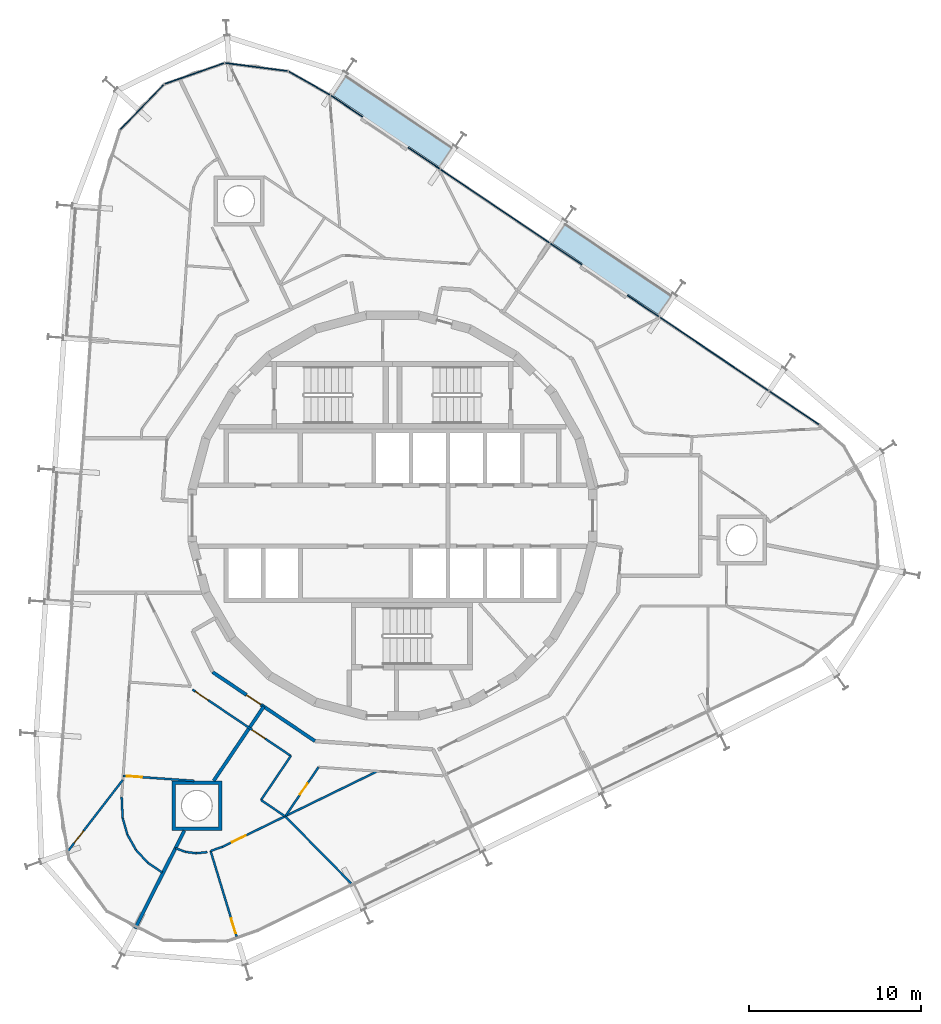
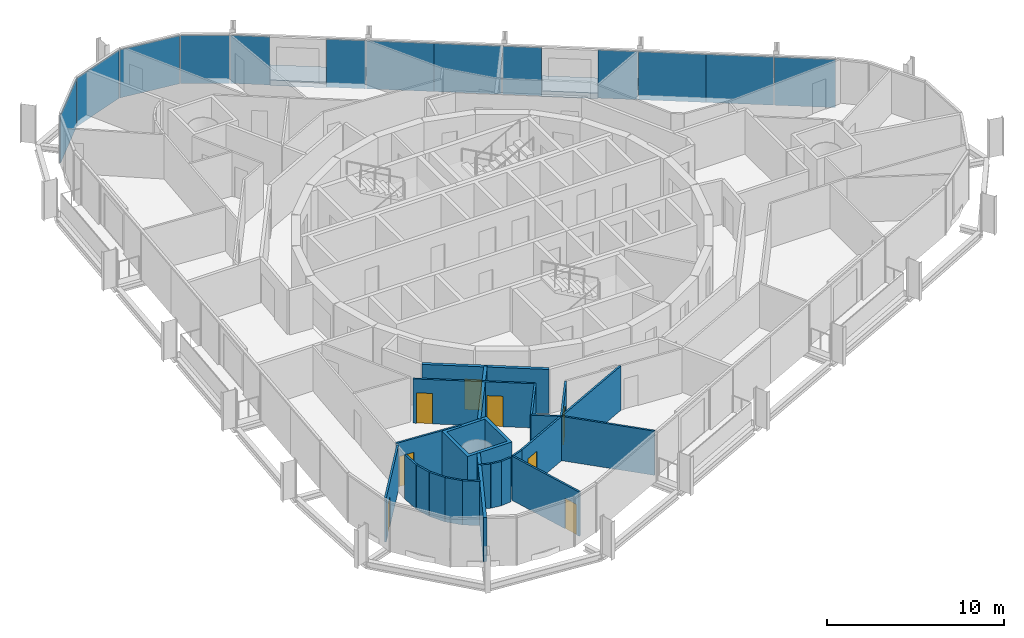
# One storey, part 11 of 17: 23 walls, 13 plates, 8 doors, 2 slabs, 8 openings, 3 elements without a shape of their own.
"""IFC4 building model written with IfcOpenShell, lengths in metres."""

from ifc_helpers import new_model, si_unit, direction, frame, frame_2d, origin, origin_2d, place, context, subcontext, project, spatial, polyline, rectangle, outline, extrude, material, layer, layer_set, type_object, element, fill, aggregate, save


model = new_model("IFC4")

# Units and contexts
model_context = context("Model", 3, precision=1e-05, world=origin(), true_north=direction((0.0, 1.0)))
body_context = subcontext(model_context, "Body", "Model", "MODEL_VIEW")
ifc_project = project(units=[si_unit("LENGTHUNIT", "METRE"), si_unit("AREAUNIT", "SQUARE_METRE"), si_unit("VOLUMEUNIT", "CUBIC_METRE"), si_unit("PLANEANGLEUNIT", "RADIAN"), si_unit("MASSUNIT", "GRAM", prefix="KILO")], contexts=[model_context])

# Site, building, storey
site_placement = place(None, origin())
site = spatial("IfcSite", under=ifc_project, at=site_placement, CompositionType="ELEMENT")
building_placement = place(site_placement, origin())
building = spatial("IfcBuilding", under=site, at=building_placement, Name="Spindle Arch Residences", CompositionType="ELEMENT")
storey_placement = place(building_placement, frame((0.0, 0.0, 216.39990234375)))
storey = spatial("IfcBuildingStorey", under=building, at=storey_placement, Name="L55", CompositionType="ELEMENT", Elevation=216.39990234375)

# Slabs
ifc_material_1 = material(Name="Concrete C40/50", Category="concrete")
ifc_layer_1 = layer(ifc_material_1, 0.3798828125)
ifc_layer_set_1 = layer_set([ifc_layer_1], Name="Balcony slab 380")
slab_type = type_object("IfcSlabType", Name="Balcony slab 380", PredefinedType="FLOOR", material=ifc_layer_set_1)
slab_1_placement = place(storey_placement, frame((0.0, 0.0, -0.3798828125)))
element("IfcSlab", 1, at=slab_1_placement, inside=storey, type_object=slab_type, Name="Balcony L55 bay 7", PredefinedType="FLOOR", context=body_context, shape_type="SweptSolid", body=[
    extrude(outline(polyline([(16.34228515625, 12.897216796875), (16.2802734375, 12.939208984375), (16.1962890625, 12.814697265625), (10.066650390625, 16.94921875), (10.150634765625, 17.07373046875), (10.08837890625, 17.115478515625), (9.255126953125, 15.88037109375), (11.0556640625, 14.665771484375), (10.96630859375, 14.533203125), (13.619140625, 12.74365234375), (13.70849609375, 12.87646484375), (15.50927734375, 11.661865234375), (16.34228515625, 12.897216796875)])), origin(), (0.0, 0.0, 1.0), 0.3798828125),
])
slab_2_placement = place(storey_placement, frame((0.0, 0.0, -0.3798828125)))
element("IfcSlab", 2, at=slab_2_placement, inside=storey, type_object=slab_type, Name="Balcony L55 bay 9", PredefinedType="FLOOR", context=body_context, shape_type="SweptSolid", body=[
    extrude(outline(polyline([(3.585693359375, 21.501708984375), (3.5234375, 21.543701171875), (3.439453125, 21.419189453125), (-2.690185546875, 25.5537109375), (-2.606201171875, 25.67822265625), (-2.66845703125, 25.719970703125), (-3.501708984375, 24.48486328125), (-1.701171875, 23.270263671875), (-1.79052734375, 23.1376953125), (0.8623046875, 21.348388671875), (0.951904296875, 21.48095703125), (2.75244140625, 20.266357421875), (3.585693359375, 21.501708984375)])), origin(), (0.0, 0.0, 1.0), 0.3798828125),
])

# Curtain wall, plate
ifc_material_2 = material(Name="Aluminium bronze unitised frame with tinted glass", Category="aluminium")
ifc_layer_2 = layer(ifc_material_2, 0.159912109375)
ifc_layer_set_2 = layer_set([ifc_layer_2], Name="CW-D corner wall on the fillet arcs")
curtain_wall_type_1 = type_object("IfcCurtainWallType", Name="CW-D corner wall on the fillet arcs", PredefinedType="NOTDEFINED", material=ifc_layer_set_2)
curtain_wall_1_placement = place(storey_placement, origin())
curtain_wall_1 = element("IfcCurtainWall", 3, at=curtain_wall_1_placement, inside=storey, type_object=curtain_wall_type_1, Name="CW-D L55 run 1", PredefinedType="NOTDEFINED")
ifc_material_3 = material(Name="Tinted double glazing over aluminium faced non-combustible spandrel zone (K0)", Category="aluminium")
ifc_layer_3 = layer(ifc_material_3, 0.06005859375)
ifc_layer_set_3 = layer_set([ifc_layer_3], Name="Unitised glass panel with E 60 spandrel zone")
plate_type = type_object("IfcPlateType", Name="Unitised glass panel with E 60 spandrel zone", PredefinedType="CURTAIN_PANEL", material=ifc_layer_set_3)
plate_1_placement = place(storey_placement, frame((23.36767578125, 6.264892578125, -0.3798828125), z_axis=(0.0, 0.0, 1.0), x_axis=(-0.829037572555, 0.559192903471, 0.0)))
plate_1 = element("IfcPlate", 4, at=plate_1_placement, type_object=plate_type, Name="CW-D unit 06", PredefinedType="CURTAIN_PANEL", context=body_context, shape_type="SweptSolid", body=[
    extrude(rectangle(XDim=3.468505859375, YDim=0.06005859375, at=origin_2d()), origin(), (0.0, 0.0, 1.0), 3.31005859375),
])
aggregate(curtain_wall_1, [plate_1])

# Curtain wall, plates
ifc_material_4 = material(Name="Aluminium bronze unitised frame with tinted glass", Category="aluminium")
ifc_layer_4 = layer(ifc_material_4, 0.159912109375)
ifc_layer_set_4 = layer_set([ifc_layer_4], Name="CW-C typical residential unitised wall")
curtain_wall_type_2 = type_object("IfcCurtainWallType", Name="CW-C typical residential unitised wall", PredefinedType="NOTDEFINED", material=ifc_layer_set_4)
curtain_wall_2_placement = place(storey_placement, origin())
curtain_wall_2 = element("IfcCurtainWall", 5, at=curtain_wall_2_placement, inside=storey, type_object=curtain_wall_type_2, Name="CW-C L55 run 2", PredefinedType="NOTDEFINED")
plate_2_placement = place(storey_placement, frame((20.2978515625, 8.335205078125, -0.3798828125), z_axis=(0.0, 0.0, 1.0), x_axis=(-0.829037572555, 0.559192903471, 0.0)))
plate_2 = element("IfcPlate", 6, at=plate_2_placement, type_object=plate_type, Name="CW-C unit 05A", PredefinedType="CURTAIN_PANEL", context=body_context, shape_type="SweptSolid", body=[
    extrude(rectangle(XDim=3.81689453125, YDim=0.06005859375, at=origin_2d()), origin(), (0.0, 0.0, 1.0), 3.31005859375),
])
plate_3_placement = place(storey_placement, frame((17.133544921875, 10.4697265625, -0.3798828125), z_axis=(0.0, 0.0, 1.0), x_axis=(-0.829037572555, 0.559192903471, 0.0)))
plate_3 = element("IfcPlate", 7, at=plate_3_placement, type_object=plate_type, Name="CW-C unit 05B", PredefinedType="CURTAIN_PANEL", context=body_context, shape_type="SweptSolid", body=[
    extrude(rectangle(XDim=3.81689453125, YDim=0.06005859375, at=origin_2d()), origin(), (0.0, 0.0, 1.0), 3.31005859375),
])
plate_4_placement = place(storey_placement, frame((14.582763671875, 12.190185546875, -0.3798828125), z_axis=(0.0, 0.0, 1.0), x_axis=(-0.829037572555, 0.559192903471, 0.0)))
plate_4 = element("IfcPlate", 8, at=plate_4_placement, type_object=plate_type, Name="CW-C unit 06L", PredefinedType="CURTAIN_PANEL", context=body_context, shape_type="SweptSolid", body=[
    extrude(rectangle(XDim=2.216796875, YDim=0.06005859375, at=origin_2d()), origin(), (0.0, 0.0, 1.0), 3.31005859375),
])
plate_5_placement = place(storey_placement, frame((10.092041015625, 15.21923828125, -0.3798828125), z_axis=(0.0, 0.0, 1.0), x_axis=(-0.829037572555, 0.559192903471, 0.0)))
plate_5 = element("IfcPlate", 9, at=plate_5_placement, type_object=plate_type, Name="CW-C unit 06R", PredefinedType="CURTAIN_PANEL", context=body_context, shape_type="SweptSolid", body=[
    extrude(rectangle(XDim=2.216796875, YDim=0.06005859375, at=origin_2d()), origin(), (0.0, 0.0, 1.0), 3.31005859375),
])
plate_6_placement = place(storey_placement, frame((7.541259765625, 16.93994140625, -0.3798828125), z_axis=(0.0, 0.0, 1.0), x_axis=(-0.829037572555, 0.559192903471, 0.0)))
plate_6 = element("IfcPlate", 10, at=plate_6_placement, type_object=plate_type, Name="CW-C unit 07A", PredefinedType="CURTAIN_PANEL", context=body_context, shape_type="SweptSolid", body=[
    extrude(rectangle(XDim=3.81689453125, YDim=0.06005859375, at=origin_2d()), origin(), (0.0, 0.0, 1.0), 3.31005859375),
])
plate_7_placement = place(storey_placement, frame((4.376953125, 19.07421875, -0.3798828125), z_axis=(0.0, 0.0, 1.0), x_axis=(-0.829037572555, 0.559192903471, 0.0)))
plate_7 = element("IfcPlate", 11, at=plate_7_placement, type_object=plate_type, Name="CW-C unit 07B", PredefinedType="CURTAIN_PANEL", context=body_context, shape_type="SweptSolid", body=[
    extrude(rectangle(XDim=3.81689453125, YDim=0.06005859375, at=origin_2d()), origin(), (0.0, 0.0, 1.0), 3.31005859375),
])
plate_8_placement = place(storey_placement, frame((1.825927734375, 20.794677734375, -0.3798828125), z_axis=(0.0, 0.0, 1.0), x_axis=(-0.829037572555, 0.559192903471, 0.0)))
plate_8 = element("IfcPlate", 12, at=plate_8_placement, type_object=plate_type, Name="CW-C unit 08L", PredefinedType="CURTAIN_PANEL", context=body_context, shape_type="SweptSolid", body=[
    extrude(rectangle(XDim=2.216796875, YDim=0.06005859375, at=origin_2d()), origin(), (0.0, 0.0, 1.0), 3.31005859375),
])
plate_9_placement = place(storey_placement, frame((-2.664794921875, 23.82373046875, -0.3798828125), z_axis=(0.0, 0.0, 1.0), x_axis=(-0.829037572555, 0.559192903471, 0.0)))
plate_9 = element("IfcPlate", 13, at=plate_9_placement, type_object=plate_type, Name="CW-C unit 08R", PredefinedType="CURTAIN_PANEL", context=body_context, shape_type="SweptSolid", body=[
    extrude(rectangle(XDim=2.216796875, YDim=0.06005859375, at=origin_2d()), origin(), (0.0, 0.0, 1.0), 3.31005859375),
])
aggregate(curtain_wall_2, [plate_2, plate_3, plate_4, plate_5, plate_6, plate_7, plate_8, plate_9])

curtain_wall_3_placement = place(storey_placement, origin())
curtain_wall_3 = element("IfcCurtainWall", 14, at=curtain_wall_3_placement, inside=storey, type_object=curtain_wall_type_1, Name="CW-D L55 run 3", PredefinedType="NOTDEFINED")
plate_10_placement = place(storey_placement, frame((-4.84130859375, 25.16064453125, -0.3798828125), z_axis=(0.0, 0.0, 1.0), x_axis=(-0.86953871595, 0.493864780547, 0.0)))
plate_10 = element("IfcPlate", 15, at=plate_10_placement, type_object=plate_type, Name="CW-D unit 00", PredefinedType="CURTAIN_PANEL", context=body_context, shape_type="SweptSolid", body=[
    extrude(rectangle(XDim=2.775634765625, YDim=0.06005859375, at=origin_2d()), origin(), (0.0, 0.0, 1.0), 3.31005859375),
])
plate_11_placement = place(storey_placement, frame((-7.92236328125, 26.0986328125, -0.3798828125), z_axis=(0.0, 0.0, 1.0), x_axis=(-0.991820351023, 0.127641651888, 0.0)))
plate_11 = element("IfcPlate", 16, at=plate_11_placement, type_object=plate_type, Name="CW-D unit 01", PredefinedType="CURTAIN_PANEL", context=body_context, shape_type="SweptSolid", body=[
    extrude(rectangle(XDim=3.666748046875, YDim=0.06005859375, at=origin_2d()), origin(), (0.0, 0.0, 1.0), 3.31005859375),
])
plate_12_placement = place(storey_placement, frame((-11.52880859375, 25.7197265625, -0.3798828125), z_axis=(0.0, 0.0, 1.0), x_axis=(-0.943608508302, -0.331063412445, 0.0)))
plate_12 = element("IfcPlate", 17, at=plate_12_placement, type_object=plate_type, Name="CW-D unit 02", PredefinedType="CURTAIN_PANEL", context=body_context, shape_type="SweptSolid", body=[
    extrude(rectangle(XDim=3.666748046875, YDim=0.06005859375, at=origin_2d()), origin(), (0.0, 0.0, 1.0), 3.31005859375),
])
plate_13_placement = place(storey_placement, frame((-14.58154296875, 23.762451171875, -0.3798828125), z_axis=(0.0, 0.0, 1.0), x_axis=(-0.694658368802, -0.719339801939, 0.0)))
plate_13 = element("IfcPlate", 18, at=plate_13_placement, type_object=plate_type, Name="CW-D unit 03", PredefinedType="CURTAIN_PANEL", context=body_context, shape_type="SweptSolid", body=[
    extrude(rectangle(XDim=3.666748046875, YDim=0.06005859375, at=origin_2d()), origin(), (0.0, 0.0, 1.0), 3.31005859375),
])
aggregate(curtain_wall_3, [plate_10, plate_11, plate_12, plate_13])

# Wall, opening, door
ifc_material_5 = material(Name="Calcium silicate block, plastered")
ifc_layer_5 = layer(ifc_material_5, 0.199951171875)
ifc_layer_set_5 = layer_set([ifc_layer_5], Name="Corridor wall 200")
wall_type_1 = type_object("IfcWallType", Name="Corridor wall 200", PredefinedType="STANDARD", material=ifc_layer_set_5)
wall_1_placement = place(storey_placement, frame((-10.469970703125, -9.101318359375, 0.0), z_axis=(0.0, 0.0, 1.0), x_axis=(0.829035841718, -0.559195469534, 0.0)))
wall_1 = element("IfcWall", 19, at=wall_1_placement, inside=storey, type_object=wall_type_1, Name="Corridor wall R5C0-W017", PredefinedType="STANDARD", context=body_context, shape_type="SweptSolid", body=[
    extrude(rectangle(XDim=7.18115234375, YDim=0.199951171875, at=frame_2d((3.590576171875, 0.0))), origin(), (0.0, 0.0, 1.0), 3.050048828125),
])
opening_1_placement = place(wall_1_placement, frame((2.390380859375, 0.0, 0.0)))
opening_1 = element("IfcOpeningElement", 20, at=opening_1_placement, cuts=wall_1, Name="Opening R5C0-FD04", PredefinedType="OPENING", context=body_context, shape_type="SweptSolid", body=[
    extrude(rectangle(XDim=1.0, YDim=2.10009765625, at=frame_2d((0.5, 1.050048828125))), frame((0.0, 0.10986328125, 0.0), z_axis=(0.0, -1.0, 0.0), x_axis=(1.0, 0.0, 0.0)), (0.0, 0.0, 1.0), 0.219970703125),
])
ifc_material_6 = material(Name="Timber, fire-resisting door set", Category="wood")
door_type_1 = type_object("IfcDoorType", Name="Flat entrance door 1000x2100", OperationType="NOTDEFINED", PredefinedType="DOOR", material=ifc_material_6)
door_1_placement = place(opening_1_placement, origin())
door_1 = element("IfcDoor", 21, at=door_1_placement, inside=storey, type_object=door_type_1, Name="Flat entrance door R5C0-FD04", OperationType="SINGLE_SWING_RIGHT", OverallHeight=2.10009765625, OverallWidth=1.0, PredefinedType="DOOR", context=body_context, shape_type="SweptSolid", body=[
    extrude(rectangle(XDim=1.0, YDim=2.10009765625, at=frame_2d((0.5, 1.050048828125))), frame((0.0, 0.02490234375, 0.0), z_axis=(0.0, -1.0, 0.0), x_axis=(1.0, 0.0, 0.0)), (0.0, 0.0, 1.0), 0.050048828125),
])
fill(opening_1, door_1)

# Wall, openings, doors
ifc_material_7 = material(Name="Plasterboard on steel studs", Category="steel")
ifc_layer_6 = layer(ifc_material_7, 0.1201171875)
ifc_layer_set_6 = layer_set([ifc_layer_6], Name="Flat partition 120")
wall_type_2 = type_object("IfcWallType", Name="Flat partition 120", PredefinedType="PARTITIONING", material=ifc_layer_set_6)
wall_2_placement = place(storey_placement, frame((-11.641845703125, -10.1201171875, 0.0), z_axis=(0.0, 0.0, 1.0), x_axis=(0.829029427133, -0.559204979365, 0.0)))
wall_2 = element("IfcWall", 22, at=wall_2_placement, inside=storey, type_object=wall_type_2, Name="Flat partition R5C0-W071", PredefinedType="PARTITIONING", context=body_context, shape_type="SweptSolid", body=[
    extrude(rectangle(XDim=6.90380859375, YDim=0.1201171875, at=frame_2d((3.451904296875, 0.0))), origin(), (0.0, 0.0, 1.0), 3.050048828125),
])
opening_2_placement = place(wall_2_placement, frame((0.199951171875, 0.0, 0.0)))
opening_2 = element("IfcOpeningElement", 23, at=opening_2_placement, cuts=wall_2, Name="Opening R5C0-ID14", PredefinedType="OPENING", context=body_context, shape_type="SweptSolid", body=[
    extrude(rectangle(XDim=0.89990234375, YDim=2.10009765625, at=frame_2d((0.449951171875, 1.050048828125))), frame((0.0, 0.070068359375, 0.0), z_axis=(0.0, -1.0, 0.0), x_axis=(1.0, 0.0, 0.0)), (0.0, 0.0, 1.0), 0.14013671875),
])
opening_3_placement = place(wall_2_placement, frame((4.1923828125, 0.0, 0.0)))
opening_3 = element("IfcOpeningElement", 24, at=opening_3_placement, cuts=wall_2, Name="Opening R5C0-ID18", PredefinedType="OPENING", context=body_context, shape_type="SweptSolid", body=[
    extrude(rectangle(XDim=0.89990234375, YDim=2.10009765625, at=frame_2d((0.449951171875, 1.050048828125))), frame((0.0, 0.070068359375, 0.0), z_axis=(0.0, -1.0, 0.0), x_axis=(1.0, 0.0, 0.0)), (0.0, 0.0, 1.0), 0.14013671875),
])
ifc_material_8 = material(Name="Timber door set", Category="wood")
door_type_2 = type_object("IfcDoorType", Name="Room door 900x2100", OperationType="NOTDEFINED", PredefinedType="DOOR", material=ifc_material_8)
door_2_placement = place(opening_2_placement, origin())
door_2 = element("IfcDoor", 25, at=door_2_placement, inside=storey, type_object=door_type_2, Name="Room door R5C0-ID14", OperationType="SINGLE_SWING_RIGHT", OverallHeight=2.10009765625, OverallWidth=0.89990234375, PredefinedType="DOOR", context=body_context, shape_type="SweptSolid", body=[
    extrude(rectangle(XDim=0.89990234375, YDim=2.10009765625, at=frame_2d((0.449951171875, 1.050048828125))), frame((0.0, 0.02490234375, 0.0), z_axis=(0.0, -1.0, 0.0), x_axis=(1.0, 0.0, 0.0)), (0.0, 0.0, 1.0), 0.050048828125),
])
fill(opening_2, door_2)
door_3_placement = place(opening_3_placement, origin())
door_3 = element("IfcDoor", 26, at=door_3_placement, inside=storey, type_object=door_type_2, Name="Room door R5C0-ID18", OperationType="SINGLE_SWING_LEFT", OverallHeight=2.10009765625, OverallWidth=0.89990234375, PredefinedType="DOOR", context=body_context, shape_type="SweptSolid", body=[
    extrude(rectangle(XDim=0.89990234375, YDim=2.10009765625, at=frame_2d((0.449951171875, 1.050048828125))), frame((0.0, 0.02490234375, 0.0), z_axis=(0.0, -1.0, 0.0), x_axis=(1.0, 0.0, 0.0)), (0.0, 0.0, 1.0), 0.050048828125),
])
fill(opening_3, door_3)

# Wall, opening, door
wall_3_placement = place(storey_placement, frame((-18.892333984375, -19.530517578125, 0.0), z_axis=(0.0, 0.0, 1.0), x_axis=(0.610347240441, 0.792133982408, 0.0)))
wall_3 = element("IfcWall", 27, at=wall_3_placement, inside=storey, type_object=wall_type_2, Name="Flat partition R5C0-W074", PredefinedType="PARTITIONING", context=body_context, shape_type="SweptSolid", body=[
    extrude(rectangle(XDim=5.244384765625, YDim=0.1201171875, at=frame_2d((2.6220703125, 0.0))), origin(), (0.0, 0.0, 1.0), 3.050048828125),
])
opening_4_placement = place(wall_3_placement, frame((0.60009765625, 0.0, 0.0)))
opening_4 = element("IfcOpeningElement", 28, at=opening_4_placement, cuts=wall_3, Name="Opening R5C0-ID17", PredefinedType="OPENING", context=body_context, shape_type="SweptSolid", body=[
    extrude(rectangle(XDim=0.89990234375, YDim=2.10009765625, at=frame_2d((0.449951171875, 1.050048828125))), frame((0.0, 0.070068359375, 0.0), z_axis=(0.0, -1.0, 0.0), x_axis=(1.0, 0.0, 0.0)), (0.0, 0.0, 1.0), 0.14013671875),
])
door_4_placement = place(opening_4_placement, origin())
door_4 = element("IfcDoor", 29, at=door_4_placement, inside=storey, type_object=door_type_2, Name="Room door R5C0-ID17", OperationType="SINGLE_SWING_RIGHT", OverallHeight=2.10009765625, OverallWidth=0.89990234375, PredefinedType="DOOR", context=body_context, shape_type="SweptSolid", body=[
    extrude(rectangle(XDim=0.89990234375, YDim=2.10009765625, at=frame_2d((0.449951171875, 1.050048828125))), frame((0.0, 0.02490234375, 0.0), z_axis=(0.0, -1.0, 0.0), x_axis=(1.0, 0.0, 0.0)), (0.0, 0.0, 1.0), 0.050048828125),
])
fill(opening_4, door_4)

wall_4_placement = place(storey_placement, frame((-15.675048828125, -15.14111328125, 0.0), z_axis=(0.0, 0.0, 1.0), x_axis=(0.997563107735, -0.06976995117, 0.0)))
wall_4 = element("IfcWall", 30, at=wall_4_placement, inside=storey, type_object=wall_type_2, Name="Flat partition R5C0-W075", PredefinedType="PARTITIONING", context=body_context, shape_type="SweptSolid", body=[
    extrude(rectangle(XDim=4.146484375, YDim=0.1201171875, at=frame_2d((2.0732421875, 0.0))), origin(), (0.0, 0.0, 1.0), 3.050048828125),
])
opening_5_placement = place(wall_4_placement, frame((0.199951171875, 0.0, 0.0)))
opening_5 = element("IfcOpeningElement", 31, at=opening_5_placement, cuts=wall_4, Name="Opening R5C0-ID16", PredefinedType="OPENING", context=body_context, shape_type="SweptSolid", body=[
    extrude(rectangle(XDim=0.89990234375, YDim=2.10009765625, at=frame_2d((0.449951171875, 1.050048828125))), frame((0.0, 0.070068359375, 0.0), z_axis=(0.0, -1.0, 0.0), x_axis=(1.0, 0.0, 0.0)), (0.0, 0.0, 1.0), 0.14013671875),
])
door_5_placement = place(opening_5_placement, origin())
door_5 = element("IfcDoor", 32, at=door_5_placement, inside=storey, type_object=door_type_2, Name="Room door R5C0-ID16", OperationType="SINGLE_SWING_RIGHT", OverallHeight=2.10009765625, OverallWidth=0.89990234375, PredefinedType="DOOR", context=body_context, shape_type="SweptSolid", body=[
    extrude(rectangle(XDim=0.89990234375, YDim=2.10009765625, at=frame_2d((0.449951171875, 1.050048828125))), frame((0.0, 0.02490234375, 0.0), z_axis=(0.0, -1.0, 0.0), x_axis=(1.0, 0.0, 0.0)), (0.0, 0.0, 1.0), 0.050048828125),
])
fill(opening_5, door_5)

# Walls
for number, where, z_axis, x_axis, name in (
    (33, (-13.39501953125, -20.767333984375, 0.0), (0.0, 0.0, 1.0), (-0.829155030747, 0.559018725077, 0.0), "Flat partition R5C0-W076"),
    (34, (-14.2373046875, -20.199462890625, 0.0), (0.0, 0.0, 1.0), (-0.677681015856, 0.735355995929, 0.0), "Flat partition R5C0-W077"),
):
    element("IfcWall", number, at=place(storey_placement, frame(where, z_axis=z_axis, x_axis=x_axis)), inside=storey, type_object=wall_type_2, Name=name, PredefinedType="PARTITIONING", context=body_context, shape_type="SweptSolid", body=[
        extrude(rectangle(XDim=1.015869140625, YDim=0.1201171875, at=frame_2d((0.5078125, 0.0))), origin(), (0.0, 0.0, 1.0), 3.050048828125),
    ])
wall_5_placement = place(storey_placement, frame((-14.92578125, -19.452392578125, 0.0), z_axis=(0.0, 0.0, 1.0), x_axis=(-0.489941776958, 0.871755157823, 0.0)))
element("IfcWall", 35, at=wall_5_placement, inside=storey, type_object=wall_type_2, Name="Flat partition R5C0-W078", PredefinedType="PARTITIONING", context=body_context, shape_type="SweptSolid", body=[
    extrude(rectangle(XDim=1.01611328125, YDim=0.1201171875, at=frame_2d((0.508056640625, 0.0))), origin(), (0.0, 0.0, 1.0), 3.050048828125),
])
wall_6_placement = place(storey_placement, frame((-15.423583984375, -18.566650390625, 0.0), z_axis=(0.0, 0.0, 1.0), x_axis=(-0.275641454312, 0.961260520704, 0.0)))
element("IfcWall", 36, at=wall_6_placement, inside=storey, type_object=wall_type_2, Name="Flat partition R5C0-W079", PredefinedType="PARTITIONING", context=body_context, shape_type="SweptSolid", body=[
    extrude(rectangle(XDim=1.015869140625, YDim=0.1201171875, at=frame_2d((0.5078125, 0.0))), origin(), (0.0, 0.0, 1.0), 3.050048828125),
])
wall_7_placement = place(storey_placement, frame((-15.70361328125, -17.590087890625, 0.0), z_axis=(0.0, 0.0, 1.0), x_axis=(-0.046364428258, 0.998924591645, 0.0)))
element("IfcWall", 37, at=wall_7_placement, inside=storey, type_object=wall_type_2, Name="Flat partition R5C0-W080", PredefinedType="PARTITIONING", context=body_context, shape_type="SweptSolid", body=[
    extrude(rectangle(XDim=1.226806640625, YDim=0.1201171875, at=frame_2d((0.61328125, 0.0))), origin(), (0.0, 0.0, 1.0), 3.050048828125),
])
wall_8_placement = place(storey_placement, frame((-5.91845703125, -13.980712890625, 0.0), z_axis=(0.0, 0.0, 1.0), x_axis=(-0.559254999968, -0.828995684555, 0.0)))
element("IfcWall", 38, at=wall_8_placement, inside=storey, type_object=wall_type_2, Name="Flat partition R5C0-W081", PredefinedType="PARTITIONING", context=body_context, shape_type="SweptSolid", body=[
    extrude(rectangle(XDim=3.09912109375, YDim=0.1201171875, at=frame_2d((1.549560546875, 0.0))), origin(), (0.0, 0.0, 1.0), 3.050048828125),
])
wall_9_placement = place(storey_placement, frame((-7.651611328125, -16.5498046875, 0.0), z_axis=(0.0, 0.0, 1.0), x_axis=(0.829053397483, -0.559169441334, 0.0)))
element("IfcWall", 39, at=wall_9_placement, inside=storey, type_object=wall_type_2, Name="Flat partition R5C0-W082", PredefinedType="PARTITIONING", context=body_context, shape_type="SweptSolid", body=[
    extrude(rectangle(XDim=1.686279296875, YDim=0.1201171875, at=frame_2d((0.84326171875, 0.0))), origin(), (0.0, 0.0, 1.0), 3.050048828125),
])

# Wall, opening, door
wall_10_placement = place(storey_placement, frame((-6.228515625, -17.480224609375, 0.0), z_axis=(0.0, 0.0, 1.0), x_axis=(0.559206483048, 0.829028412853, 0.0)))
wall_10 = element("IfcWall", 40, at=wall_10_placement, inside=storey, type_object=wall_type_2, Name="Flat partition R5C0-W083", PredefinedType="PARTITIONING", context=body_context, shape_type="SweptSolid", body=[
    extrude(rectangle(XDim=3.431884765625, YDim=0.1201171875, at=frame_2d((1.7158203125, 0.0))), origin(), (0.0, 0.0, 1.0), 3.050048828125),
])
opening_6_placement = place(wall_10_placement, frame((1.5, 0.0, 0.0)))
opening_6 = element("IfcOpeningElement", 41, at=opening_6_placement, cuts=wall_10, Name="Opening R5C0-BD05", PredefinedType="OPENING", context=body_context, shape_type="SweptSolid", body=[
    extrude(rectangle(XDim=0.800048828125, YDim=2.10009765625, at=frame_2d((0.39990234375, 1.050048828125))), frame((0.0, 0.070068359375, 0.0), z_axis=(0.0, -1.0, 0.0), x_axis=(1.0, 0.0, 0.0)), (0.0, 0.0, 1.0), 0.14013671875),
])
ifc_material_9 = material(Name="Timber door set", Category="wood")
door_type_3 = type_object("IfcDoorType", Name="Bathroom door 800x2100", OperationType="NOTDEFINED", PredefinedType="DOOR", material=ifc_material_9)
door_6_placement = place(opening_6_placement, origin())
door_6 = element("IfcDoor", 42, at=door_6_placement, inside=storey, type_object=door_type_3, Name="Bathroom door R5C0-BD05", OperationType="SINGLE_SWING_LEFT", OverallHeight=2.10009765625, OverallWidth=0.800048828125, PredefinedType="DOOR", context=body_context, shape_type="SweptSolid", body=[
    extrude(rectangle(XDim=0.800048828125, YDim=2.10009765625, at=frame_2d((0.39990234375, 1.050048828125))), frame((0.0, 0.02490234375, 0.0), z_axis=(0.0, -1.0, 0.0), x_axis=(1.0, 0.0, 0.0)), (0.0, 0.0, 1.0), 0.050048828125),
])
fill(opening_6, door_6)

# Walls
wall_11_placement = place(storey_placement, frame((-12.627685546875, -19.3466796875, 0.0), z_axis=(0.0, 0.0, 1.0), x_axis=(0.935507243946, -0.353307509862, 0.0)))
element("IfcWall", 43, at=wall_11_placement, inside=storey, type_object=wall_type_2, Name="Flat partition R5C0-W085", PredefinedType="PARTITIONING", context=body_context, shape_type="SweptSolid", body=[
    extrude(rectangle(XDim=0.6123046875, YDim=0.1201171875, at=frame_2d((0.30615234375, 0.0))), origin(), (0.0, 0.0, 1.0), 3.050048828125),
])
wall_12_placement = place(storey_placement, frame((-12.054931640625, -19.56298828125, 0.0), z_axis=(0.0, 0.0, 1.0), x_axis=(0.991802759529, -0.127778269633, 0.0)))
element("IfcWall", 44, at=wall_12_placement, inside=storey, type_object=wall_type_2, Name="Flat partition R5C0-W086", PredefinedType="PARTITIONING", context=body_context, shape_type="SweptSolid", body=[
    extrude(rectangle(XDim=0.64208984375, YDim=0.1201171875, at=frame_2d((0.321044921875, 0.0))), origin(), (0.0, 0.0, 1.0), 3.050048828125),
])
wall_13_placement = place(storey_placement, frame((-11.418212890625, -19.64501953125, 0.0), z_axis=(0.0, 0.0, 1.0), x_axis=(0.994515867502, 0.104585798686, 0.0)))
element("IfcWall", 45, at=wall_13_placement, inside=storey, type_object=wall_type_2, Name="Flat partition R5C0-W087", PredefinedType="PARTITIONING", context=body_context, shape_type="SweptSolid", body=[
    extrude(rectangle(XDim=0.641845703125, YDim=0.1201171875, at=frame_2d((0.32080078125, 0.0))), origin(), (0.0, 0.0, 1.0), 3.050048828125),
])
wall_14_placement = place(storey_placement, frame((-10.586181640625, -19.510009765625, 0.0), z_axis=(0.0, 0.0, 1.0), x_axis=(0.943560277016, 0.3312008509, 0.0)))
element("IfcWall", 46, at=wall_14_placement, inside=storey, type_object=wall_type_2, Name="Flat partition R5C0-W088", PredefinedType="PARTITIONING", context=body_context, shape_type="SweptSolid", body=[
    extrude(rectangle(XDim=0.741455078125, YDim=0.1201171875, at=frame_2d((0.37060546875, 0.0))), origin(), (0.0, 0.0, 1.0), 3.050048828125),
])

# Wall, opening, door
wall_15_placement = place(storey_placement, frame((-9.886474609375, -19.264404296875, 0.0), z_axis=(0.0, 0.0, 1.0), x_axis=(0.898796326112, 0.43836647245, 0.0)))
wall_15 = element("IfcWall", 47, at=wall_15_placement, inside=storey, type_object=wall_type_2, Name="Flat partition R5C0-W089", PredefinedType="PARTITIONING", context=body_context, shape_type="SweptSolid", body=[
    extrude(rectangle(XDim=10.01416015625, YDim=0.1201171875, at=frame_2d((5.007080078125, 0.0))), origin(), (0.0, 0.0, 1.0), 3.050048828125),
])
opening_7_placement = place(wall_15_placement, frame((0.60009765625, 0.0, 0.0)))
opening_7 = element("IfcOpeningElement", 48, at=opening_7_placement, cuts=wall_15, Name="Opening R5C0-ID20", PredefinedType="OPENING", context=body_context, shape_type="SweptSolid", body=[
    extrude(rectangle(XDim=0.89990234375, YDim=2.10009765625, at=frame_2d((0.449951171875, 1.050048828125))), frame((0.0, 0.070068359375, 0.0), z_axis=(0.0, -1.0, 0.0), x_axis=(1.0, 0.0, 0.0)), (0.0, 0.0, 1.0), 0.14013671875),
])
door_7_placement = place(opening_7_placement, origin())
door_7 = element("IfcDoor", 49, at=door_7_placement, inside=storey, type_object=door_type_2, Name="Room door R5C0-ID20", OperationType="SINGLE_SWING_LEFT", OverallHeight=2.10009765625, OverallWidth=0.89990234375, PredefinedType="DOOR", context=body_context, shape_type="SweptSolid", body=[
    extrude(rectangle(XDim=0.89990234375, YDim=2.10009765625, at=frame_2d((0.449951171875, 1.050048828125))), frame((0.0, 0.02490234375, 0.0), z_axis=(0.0, -1.0, 0.0), x_axis=(1.0, 0.0, 0.0)), (0.0, 0.0, 1.0), 0.050048828125),
])
fill(opening_7, door_7)

wall_16_placement = place(storey_placement, frame((-9.071533203125, -24.4892578125, 0.0), z_axis=(0.0, 0.0, 1.0), x_axis=(-0.291025348593, 0.956715342449, 0.0)))
wall_16 = element("IfcWall", 50, at=wall_16_placement, inside=storey, type_object=wall_type_2, Name="Flat partition R5C0-W090", PredefinedType="PARTITIONING", context=body_context, shape_type="SweptSolid", body=[
    extrude(rectangle(XDim=5.20458984375, YDim=0.1201171875, at=frame_2d((2.602294921875, 0.0))), origin(), (0.0, 0.0, 1.0), 3.050048828125),
])
opening_8_placement = place(wall_16_placement, frame((0.199951171875, 0.0, 0.0)))
opening_8 = element("IfcOpeningElement", 51, at=opening_8_placement, cuts=wall_16, Name="Opening R5C0-ID21", PredefinedType="OPENING", context=body_context, shape_type="SweptSolid", body=[
    extrude(rectangle(XDim=0.89990234375, YDim=2.10009765625, at=frame_2d((0.449951171875, 1.050048828125))), frame((0.0, 0.070068359375, 0.0), z_axis=(0.0, -1.0, 0.0), x_axis=(1.0, 0.0, 0.0)), (0.0, 0.0, 1.0), 0.14013671875),
])
door_8_placement = place(opening_8_placement, origin())
door_8 = element("IfcDoor", 52, at=door_8_placement, inside=storey, type_object=door_type_2, Name="Room door R5C0-ID21", OperationType="SINGLE_SWING_LEFT", OverallHeight=2.10009765625, OverallWidth=0.89990234375, PredefinedType="DOOR", context=body_context, shape_type="SweptSolid", body=[
    extrude(rectangle(XDim=0.89990234375, YDim=2.10009765625, at=frame_2d((0.449951171875, 1.050048828125))), frame((0.0, 0.02490234375, 0.0), z_axis=(0.0, -1.0, 0.0), x_axis=(1.0, 0.0, 0.0)), (0.0, 0.0, 1.0), 0.050048828125),
])
fill(opening_8, door_8)

# Walls
wall_17_placement = place(storey_placement, frame((-2.402587890625, -21.39990234375, 0.0), z_axis=(0.0, 0.0, 1.0), x_axis=(-0.70162063199, 0.712550692067, 0.0)))
element("IfcWall", 53, at=wall_17_placement, inside=storey, type_object=wall_type_2, Name="Flat partition R5C0-W091", PredefinedType="PARTITIONING", context=body_context, shape_type="SweptSolid", body=[
    extrude(rectangle(XDim=5.472412109375, YDim=0.1201171875, at=frame_2d((2.736328125, 0.0))), origin(), (0.0, 0.0, 1.0), 3.050048828125),
])
ifc_material_10 = material(Name="Calcium silicate block, plastered")
ifc_layer_7 = layer(ifc_material_10, 0.199951171875)
ifc_layer_set_7 = layer_set([ifc_layer_7], Name="Flat party wall 200")
wall_type_3 = type_object("IfcWallType", Name="Flat party wall 200", PredefinedType="STANDARD", material=ifc_layer_set_7)
wall_18_placement = place(storey_placement, frame((-10.407958984375, -15.430419921875, 0.0), z_axis=(0.0, 0.0, 1.0), x_axis=(0.559199317758, 0.829033246027, 0.0)))
element("IfcWall", 54, at=wall_18_placement, inside=storey, type_object=wall_type_3, Name="Flat party wall R5C0-W033", PredefinedType="STANDARD", context=body_context, shape_type="SweptSolid", body=[
    extrude(rectangle(XDim=5.21240234375, YDim=0.199951171875, at=frame_2d((2.606201171875, 0.0))), origin(), (0.0, 0.0, 1.0), 3.050048828125),
])
wall_19_placement = place(storey_placement, frame((-14.9794921875, -24.017333984375, 0.0), z_axis=(0.0, 0.0, 1.0), x_axis=(0.449732900329, 0.89316309729, 0.0)))
element("IfcWall", 55, at=wall_19_placement, inside=storey, type_object=wall_type_3, Name="Flat party wall R5C0-W034", PredefinedType="STANDARD", context=body_context, shape_type="SweptSolid", body=[
    extrude(rectangle(XDim=5.229248046875, YDim=0.199951171875, at=frame_2d((2.61474609375, 0.0))), origin(), (0.0, 0.0, 1.0), 3.050048828125),
])
wall_20_placement = place(storey_placement, frame((-12.627685546875, -19.3466796875, 0.0), z_axis=(0.0, 0.0, 1.0), x_axis=(0.449615653781, 0.8932221246, 0.0)))
element("IfcWall", 56, at=wall_20_placement, inside=storey, type_object=wall_type_3, Name="Flat party wall R5C0-W035", PredefinedType="STANDARD", context=body_context, shape_type="SweptSolid", body=[
    extrude(rectangle(XDim=1.1376953125, YDim=0.199951171875, at=frame_2d((0.56884765625, 0.0))), origin(), (0.0, 0.0, 1.0), 3.050048828125),
])
ifc_material_11 = material(Name="Calcium silicate block, plastered")
ifc_layer_8 = layer(ifc_material_11, 0.199951171875)
ifc_layer_set_8 = layer_set([ifc_layer_8], Name="Mega-column casing wall 200")
wall_type_4 = type_object("IfcWallType", Name="Mega-column casing wall 200", PredefinedType="STANDARD", material=ifc_layer_set_8)
wall_21_placement = place(storey_placement, origin())
element("IfcWall", 57, at=wall_21_placement, inside=storey, type_object=wall_type_4, Name="Mega-column casing wall R5C0-WC02", PredefinedType="STANDARD", context=body_context, shape_type="SweptSolid", body=[
    extrude(outline(polyline([(-9.93603515625, -15.430419921875), (-9.93603515625, -18.33056640625), (-12.8359375, -18.33056640625), (-12.8359375, -15.430419921875), (-9.93603515625, -15.430419921875)]), holes=[polyline([(-12.635986328125, -18.130615234375), (-10.135986328125, -18.130615234375), (-10.135986328125, -15.630615234375), (-12.635986328125, -15.630615234375), (-12.635986328125, -18.130615234375)])]), origin(), (0.0, 0.0, 1.0), 3.050048828125),
])

save(model, "model.ifc")
